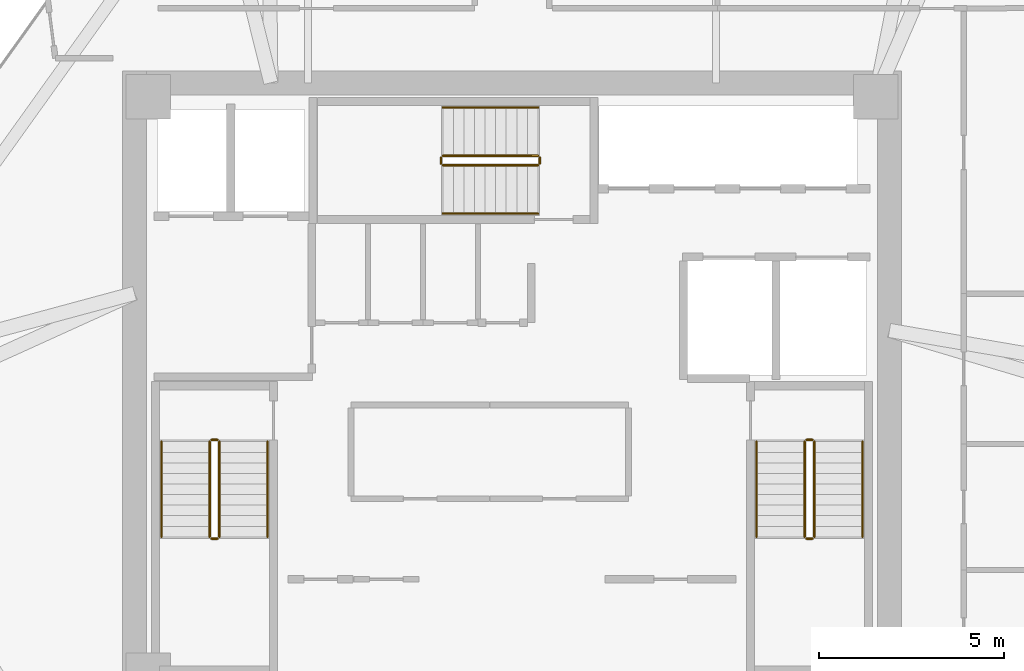
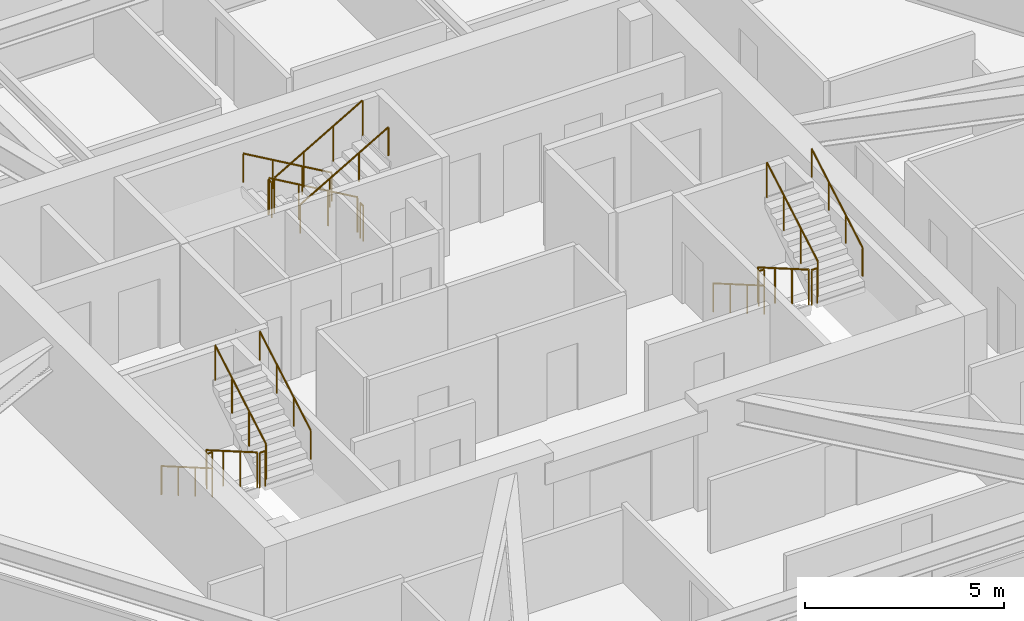
# One storey, part 14 of 14: 18 railings.
"""IFC4 building model written with IfcOpenShell, lengths in metres."""

from ifc_helpers import new_model, si_unit, direction, frame, origin, origin_2d, place, context, subcontext, project, spatial, circle, extrude, material, type_object, element, save


model = new_model("IFC4")

# Units and contexts
model_context = context("Model", 3, precision=1e-05, world=origin(), true_north=direction((0.0, 1.0)))
body_context = subcontext(model_context, "Body", "Model", "MODEL_VIEW")
ifc_project = project(units=[si_unit("LENGTHUNIT", "METRE"), si_unit("AREAUNIT", "SQUARE_METRE"), si_unit("VOLUMEUNIT", "CUBIC_METRE"), si_unit("PLANEANGLEUNIT", "RADIAN"), si_unit("MASSUNIT", "GRAM", prefix="KILO")], contexts=[model_context])

# Site, building, storey
site_placement = place(None, origin())
site = spatial("IfcSite", under=ifc_project, at=site_placement, CompositionType="ELEMENT")
building_placement = place(site_placement, origin())
building = spatial("IfcBuilding", under=site, at=building_placement, Name="Durnholm Broadcast Tower", CompositionType="ELEMENT")
storey_placement = place(building_placement, frame((0.0, 0.0, 193.60009765625)))
storey = spatial("IfcBuildingStorey", under=building, at=storey_placement, Name="L53", CompositionType="ELEMENT", Elevation=193.60009765625)

# Railings
ifc_material_1 = material(Name="Painted Tubular Steel Stair Guardrail", Category="steel")
railing_type_1 = type_object("IfcRailingType", Name="RAIL-ST-GRD", PredefinedType="GUARDRAIL", material=ifc_material_1)
railing_1_placement = place(storey_placement, frame((-8.14990234375, -1.5, 0.164794921875)))
element("IfcRailing", 1, at=railing_1_placement, inside=storey, type_object=railing_type_1, Name="L53 ST-1 stair guard 1", PredefinedType="GUARDRAIL", context=body_context, shape_type="SweptSolid", body=[
    extrude(circle(Radius=0.02392578125, at=origin_2d()), frame((0.0, 0.0, 1.076171875), z_axis=(0.0, -0.865405606168, 0.501071987656), x_axis=(1.0, 0.0, 0.0)), (0.0, 0.0, 1.0), 2.9638671875),
    extrude(circle(Radius=0.02099609375, at=origin_2d()), origin(), (0.0, 0.0, 1.0), 1.052001953125),
    extrude(circle(Radius=0.02099609375, at=origin_2d()), frame((0.0, -0.85498046875, 0.4951171875)), (0.0, 0.0, 1.0), 1.052001953125),
    extrude(circle(Radius=0.02099609375, at=origin_2d()), frame((0.0, -1.7099609375, 0.989990234375)), (0.0, 0.0, 1.0), 1.052001953125),
    extrude(circle(Radius=0.02099609375, at=origin_2d()), frame((0.0, -2.56494140625, 1.485107421875)), (0.0, 0.0, 1.0), 1.052001953125),
])
railing_2_placement = place(storey_placement, frame((-8.10009765625, -4.114990234375, 1.64990234375)))
element("IfcRailing", 2, at=railing_2_placement, inside=storey, type_object=railing_type_1, Name="L53 ST-1 stair guard 2", PredefinedType="GUARDRAIL", context=body_context, shape_type="SweptSolid", body=[
    extrude(circle(Radius=0.02392578125, at=origin_2d()), frame((0.0, 0.0, 1.076171875), z_axis=(1.0, 0.0, 0.0), x_axis=(0.0, 1.0, 0.0)), (0.0, 0.0, 1.0), 0.16015625),
    extrude(circle(Radius=0.02099609375, at=origin_2d()), origin(), (0.0, 0.0, 1.0), 1.052001953125),
    extrude(circle(Radius=0.02099609375, at=origin_2d()), frame((0.16015625, 0.0, 0.0)), (0.0, 0.0, 1.0), 1.052001953125),
])
railing_3_placement = place(storey_placement, frame((-7.889892578125, -4.06494140625, 1.81494140625)))
element("IfcRailing", 3, at=railing_3_placement, inside=storey, type_object=railing_type_1, Name="L53 ST-1 stair guard 3", PredefinedType="GUARDRAIL", context=body_context, shape_type="SweptSolid", body=[
    extrude(circle(Radius=0.02392578125, at=origin_2d()), frame((0.0, 0.0, 1.076171875), z_axis=(0.0, 0.865441324677, 0.50101029285), x_axis=(-1.0, 0.0, 0.0)), (0.0, 0.0, 1.0), 2.963623046875),
    extrude(circle(Radius=0.02099609375, at=origin_2d()), origin(), (0.0, 0.0, 1.0), 1.052001953125),
    extrude(circle(Radius=0.02099609375, at=origin_2d()), frame((0.0, 0.85498046875, 0.494873046875)), (0.0, 0.0, 1.0), 1.052001953125),
    extrude(circle(Radius=0.02099609375, at=origin_2d()), frame((0.0, 1.7099609375, 0.989990234375)), (0.0, 0.0, 1.0), 1.052001953125),
    extrude(circle(Radius=0.02099609375, at=origin_2d()), frame((0.0, 2.56494140625, 1.48486328125)), (0.0, 0.0, 1.0), 1.052001953125),
])
railing_4_placement = place(storey_placement, frame((-8.10009765625, -1.449951171875, 0.0)))
element("IfcRailing", 4, at=railing_4_placement, inside=storey, type_object=railing_type_1, Name="L53 ST-1 stair guard 4", PredefinedType="GUARDRAIL", context=body_context, shape_type="SweptSolid", body=[
    extrude(circle(Radius=0.02392578125, at=origin_2d()), frame((0.0, 0.0, 1.076171875), z_axis=(1.0, 0.0, 0.0), x_axis=(0.0, 1.0, 0.0)), (0.0, 0.0, 1.0), 0.16015625),
    extrude(circle(Radius=0.02099609375, at=origin_2d()), origin(), (0.0, 0.0, 1.0), 1.052001953125),
    extrude(circle(Radius=0.02099609375, at=origin_2d()), frame((0.16015625, 0.0, 0.0)), (0.0, 0.0, 1.0), 1.052001953125),
])
railing_5_placement = place(storey_placement, frame((7.889892578125, -1.5, 0.164794921875)))
element("IfcRailing", 5, at=railing_5_placement, inside=storey, type_object=railing_type_1, Name="L53 ST-2 stair guard 1", PredefinedType="GUARDRAIL", context=body_context, shape_type="SweptSolid", body=[
    extrude(circle(Radius=0.02392578125, at=origin_2d()), frame((0.0, 0.0, 1.076171875), z_axis=(0.0, -0.865405606168, 0.501071987656), x_axis=(1.0, 0.0, 0.0)), (0.0, 0.0, 1.0), 2.9638671875),
    extrude(circle(Radius=0.02099609375, at=origin_2d()), origin(), (0.0, 0.0, 1.0), 1.052001953125),
    extrude(circle(Radius=0.02099609375, at=origin_2d()), frame((0.0, -0.85498046875, 0.4951171875)), (0.0, 0.0, 1.0), 1.052001953125),
    extrude(circle(Radius=0.02099609375, at=origin_2d()), frame((0.0, -1.7099609375, 0.989990234375)), (0.0, 0.0, 1.0), 1.052001953125),
    extrude(circle(Radius=0.02099609375, at=origin_2d()), frame((0.0, -2.56494140625, 1.485107421875)), (0.0, 0.0, 1.0), 1.052001953125),
])
railing_6_placement = place(storey_placement, frame((7.93994140625, -4.114990234375, 1.64990234375)))
element("IfcRailing", 6, at=railing_6_placement, inside=storey, type_object=railing_type_1, Name="L53 ST-2 stair guard 2", PredefinedType="GUARDRAIL", context=body_context, shape_type="SweptSolid", body=[
    extrude(circle(Radius=0.02392578125, at=origin_2d()), frame((0.0, 0.0, 1.076171875), z_axis=(1.0, 0.0, 0.0), x_axis=(0.0, 1.0, 0.0)), (0.0, 0.0, 1.0), 0.16015625),
    extrude(circle(Radius=0.02099609375, at=origin_2d()), origin(), (0.0, 0.0, 1.0), 1.052001953125),
    extrude(circle(Radius=0.02099609375, at=origin_2d()), frame((0.16015625, 0.0, 0.0)), (0.0, 0.0, 1.0), 1.052001953125),
])
railing_7_placement = place(storey_placement, frame((8.14990234375, -4.06494140625, 1.81494140625)))
element("IfcRailing", 7, at=railing_7_placement, inside=storey, type_object=railing_type_1, Name="L53 ST-2 stair guard 3", PredefinedType="GUARDRAIL", context=body_context, shape_type="SweptSolid", body=[
    extrude(circle(Radius=0.02392578125, at=origin_2d()), frame((0.0, 0.0, 1.076171875), z_axis=(0.0, 0.865441324677, 0.50101029285), x_axis=(-1.0, 0.0, 0.0)), (0.0, 0.0, 1.0), 2.963623046875),
    extrude(circle(Radius=0.02099609375, at=origin_2d()), origin(), (0.0, 0.0, 1.0), 1.052001953125),
    extrude(circle(Radius=0.02099609375, at=origin_2d()), frame((0.0, 0.85498046875, 0.494873046875)), (0.0, 0.0, 1.0), 1.052001953125),
    extrude(circle(Radius=0.02099609375, at=origin_2d()), frame((0.0, 1.7099609375, 0.989990234375)), (0.0, 0.0, 1.0), 1.052001953125),
    extrude(circle(Radius=0.02099609375, at=origin_2d()), frame((0.0, 2.56494140625, 1.48486328125)), (0.0, 0.0, 1.0), 1.052001953125),
])
railing_8_placement = place(storey_placement, frame((7.93994140625, -1.449951171875, 0.0)))
element("IfcRailing", 8, at=railing_8_placement, inside=storey, type_object=railing_type_1, Name="L53 ST-2 stair guard 4", PredefinedType="GUARDRAIL", context=body_context, shape_type="SweptSolid", body=[
    extrude(circle(Radius=0.02392578125, at=origin_2d()), frame((0.0, 0.0, 1.076171875), z_axis=(1.0, 0.0, 0.0), x_axis=(0.0, 1.0, 0.0)), (0.0, 0.0, 1.0), 0.16015625),
    extrude(circle(Radius=0.02099609375, at=origin_2d()), origin(), (0.0, 0.0, 1.0), 1.052001953125),
    extrude(circle(Radius=0.02099609375, at=origin_2d()), frame((0.16015625, 0.0, 0.0)), (0.0, 0.0, 1.0), 1.052001953125),
])
railing_9_placement = place(storey_placement, frame((0.699951171875, 6.2099609375, 0.164794921875)))
element("IfcRailing", 9, at=railing_9_placement, inside=storey, type_object=railing_type_1, Name="L53 ST-3 stair guard 1", PredefinedType="GUARDRAIL", context=body_context, shape_type="SweptSolid", body=[
    extrude(circle(Radius=0.02392578125, at=origin_2d()), frame((0.0, 0.0, 1.076171875), z_axis=(-0.865405606168, 0.0, 0.501071987656), x_axis=(0.0, -1.0, 0.0)), (0.0, 0.0, 1.0), 2.9638671875),
    extrude(circle(Radius=0.02099609375, at=origin_2d()), origin(), (0.0, 0.0, 1.0), 1.052001953125),
    extrude(circle(Radius=0.02099609375, at=origin_2d()), frame((-0.85498046875, 0.0, 0.4951171875)), (0.0, 0.0, 1.0), 1.052001953125),
    extrude(circle(Radius=0.02099609375, at=origin_2d()), frame((-1.7099609375, 0.0, 0.989990234375)), (0.0, 0.0, 1.0), 1.052001953125),
    extrude(circle(Radius=0.02099609375, at=origin_2d()), frame((-2.56494140625, 0.0, 1.485107421875)), (0.0, 0.0, 1.0), 1.052001953125),
])
railing_10_placement = place(storey_placement, frame((-1.9150390625, 6.159912109375, 1.64990234375)))
element("IfcRailing", 10, at=railing_10_placement, inside=storey, type_object=railing_type_1, Name="L53 ST-3 stair guard 2", PredefinedType="GUARDRAIL", context=body_context, shape_type="SweptSolid", body=[
    extrude(circle(Radius=0.02392578125, at=origin_2d()), frame((0.0, 0.0, 1.076171875), z_axis=(0.0, -1.0, 0.0), x_axis=(1.0, 0.0, 0.0)), (0.0, 0.0, 1.0), 0.159912109375),
    extrude(circle(Radius=0.02099609375, at=origin_2d()), origin(), (0.0, 0.0, 1.0), 1.052001953125),
    extrude(circle(Radius=0.02099609375, at=origin_2d()), frame((0.0, -0.159912109375, 0.0)), (0.0, 0.0, 1.0), 1.052001953125),
])
railing_11_placement = place(storey_placement, frame((-1.864990234375, 5.949951171875, 1.81494140625)))
element("IfcRailing", 11, at=railing_11_placement, inside=storey, type_object=railing_type_1, Name="L53 ST-3 stair guard 3", PredefinedType="GUARDRAIL", context=body_context, shape_type="SweptSolid", body=[
    extrude(circle(Radius=0.02392578125, at=origin_2d()), frame((0.0, 0.0, 1.076171875), z_axis=(0.865441324677, 0.0, 0.50101029285), x_axis=(0.0, 1.0, 0.0)), (0.0, 0.0, 1.0), 2.963623046875),
    extrude(circle(Radius=0.02099609375, at=origin_2d()), origin(), (0.0, 0.0, 1.0), 1.052001953125),
    extrude(circle(Radius=0.02099609375, at=origin_2d()), frame((0.85498046875, 0.0, 0.494873046875)), (0.0, 0.0, 1.0), 1.052001953125),
    extrude(circle(Radius=0.02099609375, at=origin_2d()), frame((1.7099609375, 0.0, 0.989990234375)), (0.0, 0.0, 1.0), 1.052001953125),
    extrude(circle(Radius=0.02099609375, at=origin_2d()), frame((2.56494140625, 0.0, 1.48486328125)), (0.0, 0.0, 1.0), 1.052001953125),
])
railing_12_placement = place(storey_placement, frame((0.75, 6.159912109375, 0.0)))
element("IfcRailing", 12, at=railing_12_placement, inside=storey, type_object=railing_type_1, Name="L53 ST-3 stair guard 4", PredefinedType="GUARDRAIL", context=body_context, shape_type="SweptSolid", body=[
    extrude(circle(Radius=0.02392578125, at=origin_2d()), frame((0.0, 0.0, 1.076171875), z_axis=(0.0, -1.0, 0.0), x_axis=(1.0, 0.0, 0.0)), (0.0, 0.0, 1.0), 0.159912109375),
    extrude(circle(Radius=0.02099609375, at=origin_2d()), origin(), (0.0, 0.0, 1.0), 1.052001953125),
    extrude(circle(Radius=0.02099609375, at=origin_2d()), frame((0.0, -0.159912109375, 0.0)), (0.0, 0.0, 1.0), 1.052001953125),
])
ifc_material_2 = material(Name="Brushed Stainless Steel Handrail", Category="steel")
railing_type_2 = type_object("IfcRailingType", Name="RAIL-ST-HND", PredefinedType="HANDRAIL", material=ifc_material_2)
railing_13_placement = place(storey_placement, frame((-9.449951171875, -1.5, 0.329833984375)))
element("IfcRailing", 13, at=railing_13_placement, inside=storey, type_object=railing_type_2, Name="L53 ST-1 stair handrail 1", PredefinedType="HANDRAIL", context=body_context, shape_type="SweptSolid", body=[
    extrude(circle(Radius=0.02392578125, at=origin_2d()), frame((0.0, 0.0, 0.8759765625), z_axis=(0.0, -0.865405606168, 0.501071987656), x_axis=(1.0, 0.0, 0.0)), (0.0, 0.0, 1.0), 2.9638671875),
    extrude(circle(Radius=0.02099609375, at=origin_2d()), origin(), (0.0, 0.0, 1.0), 0.851806640625),
    extrude(circle(Radius=0.02099609375, at=origin_2d()), frame((0.0, -0.85498046875, 0.4951171875)), (0.0, 0.0, 1.0), 0.851806640625),
    extrude(circle(Radius=0.02099609375, at=origin_2d()), frame((0.0, -1.7099609375, 0.989990234375)), (0.0, 0.0, 1.0), 0.851806640625),
    extrude(circle(Radius=0.02099609375, at=origin_2d()), frame((0.0, -2.56494140625, 1.485107421875)), (0.0, 0.0, 1.0), 0.851806640625),
])
railing_14_placement = place(storey_placement, frame((-6.590087890625, -4.06494140625, 1.97998046875)))
element("IfcRailing", 14, at=railing_14_placement, inside=storey, type_object=railing_type_2, Name="L53 ST-1 stair handrail 2", PredefinedType="HANDRAIL", context=body_context, shape_type="SweptSolid", body=[
    extrude(circle(Radius=0.02392578125, at=origin_2d()), frame((0.0, 0.0, 0.8759765625), z_axis=(0.0, 0.865441324677, 0.50101029285), x_axis=(-1.0, 0.0, 0.0)), (0.0, 0.0, 1.0), 2.963623046875),
    extrude(circle(Radius=0.02099609375, at=origin_2d()), origin(), (0.0, 0.0, 1.0), 0.851806640625),
    extrude(circle(Radius=0.02099609375, at=origin_2d()), frame((0.0, 0.85498046875, 0.494873046875)), (0.0, 0.0, 1.0), 0.851806640625),
    extrude(circle(Radius=0.02099609375, at=origin_2d()), frame((0.0, 1.7099609375, 0.989990234375)), (0.0, 0.0, 1.0), 0.851806640625),
    extrude(circle(Radius=0.02099609375, at=origin_2d()), frame((0.0, 2.56494140625, 1.48486328125)), (0.0, 0.0, 1.0), 0.851806640625),
])
railing_15_placement = place(storey_placement, frame((6.590087890625, -1.5, 0.329833984375)))
element("IfcRailing", 15, at=railing_15_placement, inside=storey, type_object=railing_type_2, Name="L53 ST-2 stair handrail 1", PredefinedType="HANDRAIL", context=body_context, shape_type="SweptSolid", body=[
    extrude(circle(Radius=0.02392578125, at=origin_2d()), frame((0.0, 0.0, 0.8759765625), z_axis=(0.0, -0.865405606168, 0.501071987656), x_axis=(1.0, 0.0, 0.0)), (0.0, 0.0, 1.0), 2.9638671875),
    extrude(circle(Radius=0.02099609375, at=origin_2d()), origin(), (0.0, 0.0, 1.0), 0.851806640625),
    extrude(circle(Radius=0.02099609375, at=origin_2d()), frame((0.0, -0.85498046875, 0.4951171875)), (0.0, 0.0, 1.0), 0.851806640625),
    extrude(circle(Radius=0.02099609375, at=origin_2d()), frame((0.0, -1.7099609375, 0.989990234375)), (0.0, 0.0, 1.0), 0.851806640625),
    extrude(circle(Radius=0.02099609375, at=origin_2d()), frame((0.0, -2.56494140625, 1.485107421875)), (0.0, 0.0, 1.0), 0.851806640625),
])
railing_16_placement = place(storey_placement, frame((9.449951171875, -4.06494140625, 1.97998046875)))
element("IfcRailing", 16, at=railing_16_placement, inside=storey, type_object=railing_type_2, Name="L53 ST-2 stair handrail 2", PredefinedType="HANDRAIL", context=body_context, shape_type="SweptSolid", body=[
    extrude(circle(Radius=0.02392578125, at=origin_2d()), frame((0.0, 0.0, 0.8759765625), z_axis=(0.0, 0.865441324677, 0.50101029285), x_axis=(-1.0, 0.0, 0.0)), (0.0, 0.0, 1.0), 2.963623046875),
    extrude(circle(Radius=0.02099609375, at=origin_2d()), origin(), (0.0, 0.0, 1.0), 0.851806640625),
    extrude(circle(Radius=0.02099609375, at=origin_2d()), frame((0.0, 0.85498046875, 0.494873046875)), (0.0, 0.0, 1.0), 0.851806640625),
    extrude(circle(Radius=0.02099609375, at=origin_2d()), frame((0.0, 1.7099609375, 0.989990234375)), (0.0, 0.0, 1.0), 0.851806640625),
    extrude(circle(Radius=0.02099609375, at=origin_2d()), frame((0.0, 2.56494140625, 1.48486328125)), (0.0, 0.0, 1.0), 0.851806640625),
])
railing_17_placement = place(storey_placement, frame((0.699951171875, 7.510009765625, 0.329833984375)))
element("IfcRailing", 17, at=railing_17_placement, inside=storey, type_object=railing_type_2, Name="L53 ST-3 stair handrail 1", PredefinedType="HANDRAIL", context=body_context, shape_type="SweptSolid", body=[
    extrude(circle(Radius=0.02392578125, at=origin_2d()), frame((0.0, 0.0, 0.8759765625), z_axis=(-0.865405606168, 0.0, 0.501071987656), x_axis=(0.0, -1.0, 0.0)), (0.0, 0.0, 1.0), 2.9638671875),
    extrude(circle(Radius=0.02099609375, at=origin_2d()), origin(), (0.0, 0.0, 1.0), 0.851806640625),
    extrude(circle(Radius=0.02099609375, at=origin_2d()), frame((-0.85498046875, 0.0, 0.4951171875)), (0.0, 0.0, 1.0), 0.851806640625),
    extrude(circle(Radius=0.02099609375, at=origin_2d()), frame((-1.7099609375, 0.0, 0.989990234375)), (0.0, 0.0, 1.0), 0.851806640625),
    extrude(circle(Radius=0.02099609375, at=origin_2d()), frame((-2.56494140625, 0.0, 1.485107421875)), (0.0, 0.0, 1.0), 0.851806640625),
])
railing_18_placement = place(storey_placement, frame((-1.864990234375, 4.64990234375, 1.97998046875)))
element("IfcRailing", 18, at=railing_18_placement, inside=storey, type_object=railing_type_2, Name="L53 ST-3 stair handrail 2", PredefinedType="HANDRAIL", context=body_context, shape_type="SweptSolid", body=[
    extrude(circle(Radius=0.02392578125, at=origin_2d()), frame((0.0, 0.0, 0.8759765625), z_axis=(0.865441324677, 0.0, 0.50101029285), x_axis=(0.0, 1.0, 0.0)), (0.0, 0.0, 1.0), 2.963623046875),
    extrude(circle(Radius=0.02099609375, at=origin_2d()), origin(), (0.0, 0.0, 1.0), 0.851806640625),
    extrude(circle(Radius=0.02099609375, at=origin_2d()), frame((0.85498046875, 0.0, 0.494873046875)), (0.0, 0.0, 1.0), 0.851806640625),
    extrude(circle(Radius=0.02099609375, at=origin_2d()), frame((1.7099609375, 0.0, 0.989990234375)), (0.0, 0.0, 1.0), 0.851806640625),
    extrude(circle(Radius=0.02099609375, at=origin_2d()), frame((2.56494140625, 0.0, 1.48486328125)), (0.0, 0.0, 1.0), 0.851806640625),
])

save(model, "model.ifc")
